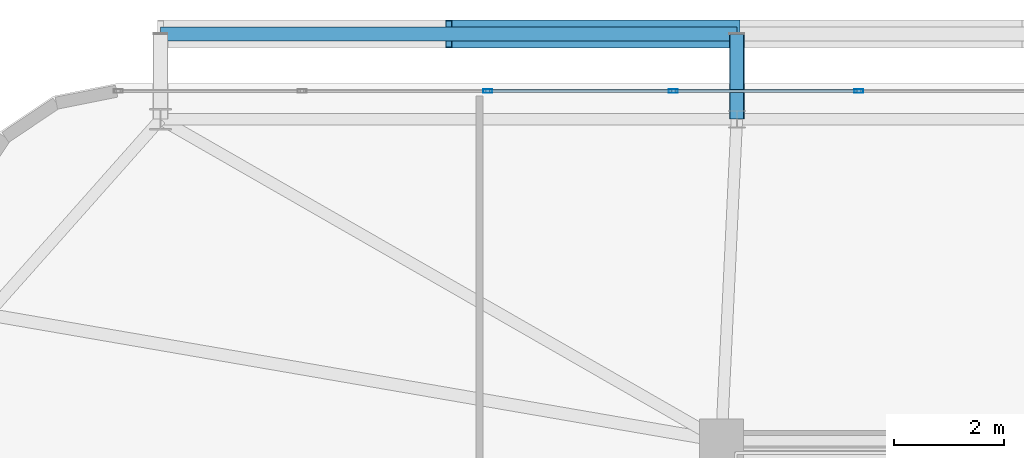
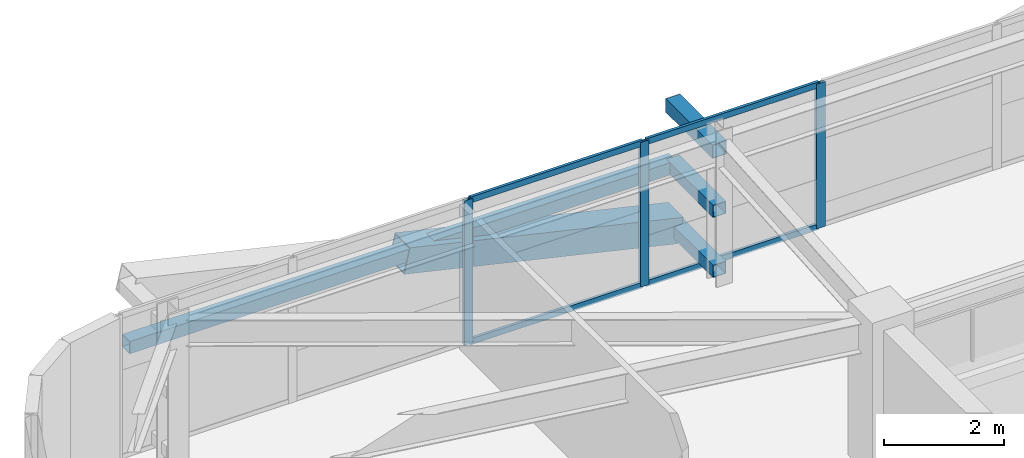
# One storey, part 35 of 58: 12 members, 1 element without a shape of its own.
"""IFC4 building model written with IfcOpenShell, lengths in metres."""

from ifc_helpers import new_model, si_unit, direction, frame, origin, origin_2d, place, context, subcontext, project, spatial, hollow_rectangle, extrude, source, transform, mapped, material, layer, layer_set, material_profile, profile_set, type_object, element, aggregate, save


model = new_model("IFC4")

# Units and contexts
model_context = context("Model", 3, precision=1e-05, world=origin(), true_north=direction((0.0, 1.0)))
body_context = subcontext(model_context, "Body", "Model", "MODEL_VIEW")
ifc_project = project(units=[si_unit("LENGTHUNIT", "METRE"), si_unit("AREAUNIT", "SQUARE_METRE"), si_unit("VOLUMEUNIT", "CUBIC_METRE"), si_unit("PLANEANGLEUNIT", "RADIAN"), si_unit("MASSUNIT", "GRAM", prefix="KILO")], contexts=[model_context])

# Site, building, storey
site_placement = place(None, origin())
site = spatial("IfcSite", under=ifc_project, at=site_placement, CompositionType="ELEMENT")
building_placement = place(site_placement, origin())
building = spatial("IfcBuilding", under=site, at=building_placement, Name="Taldren Reach Tower", CompositionType="ELEMENT")
storey_placement = place(building_placement, frame((0.0, 0.0, 32.550048828125)))
storey = spatial("IfcBuildingStorey", under=building, at=storey_placement, Name="L09", CompositionType="ELEMENT", Elevation=32.550048828125)

# Members
ifc_material_1 = material(Name="Steel Gr 450 (C450L0)", Category="steel")
ifc_material_profile_1 = material_profile(ifc_material_1, hollow_rectangle(XDim=0.27490234375, YDim=0.27490234375, WallThickness=0.00927734375, at=origin_2d()), Name="275x275x9.3SHS")
ifc_profile_set_1 = profile_set([ifc_material_profile_1], Name="Steel Gr 450 (C450L0)")
member_type_1 = type_object("IfcMemberType", Name="MB-TIE273", PredefinedType="STRUT", material=ifc_profile_set_1)
shared_shape_1 = source(origin(), body_context, "Body", "SweptSolid", [
    extrude(hollow_rectangle(XDim=0.27490234375, YDim=0.27490234375, WallThickness=0.00927734375, at=origin_2d()), origin(), (0.0, 0.0, 1.0), 1.5498046875),
])
member_1_placement = place(storey_placement, frame((19.280029296875, 37.85009765625, 2.64990234375), z_axis=(0.0, 1.0, 0.0), x_axis=(-1.0, 0.0, 0.0)))
element("IfcMember", 1, at=member_1_placement, inside=storey, type_object=member_type_1, Name="Exoskeleton diaphragm tie strut B1-N2 L09", PredefinedType="STRUT", context=body_context, shape_type="MappedRepresentation", body=[
    mapped(shared_shape_1, transform((0.0, 0.0, 0.0), scale=1.0)),
])
ifc_material_profile_2 = material_profile(ifc_material_1, hollow_rectangle(XDim=0.510009765625, YDim=0.510009765625, WallThickness=0.02001953125, at=origin_2d()), Name="510x510x20.0SHS")
ifc_profile_set_2 = profile_set([ifc_material_profile_2], Name="Steel Gr 450 (C450L0)")
member_type_2 = type_object("IfcMemberType", Name="MB-EXO508", PredefinedType="BRACE", material=ifc_profile_set_2)
shared_shape_2 = source(origin(), body_context, "Body", "SweptSolid", [
    extrude(hollow_rectangle(XDim=0.510009765625, YDim=0.510009765625, WallThickness=0.02001953125, at=origin_2d()), origin(), (0.0, 0.0, 1.0), 5.37890625),
])
member_2_placement = place(storey_placement, frame((19.280029296875, 39.39990234375, 0.219970703125), z_axis=(-0.97415197996, 0.0, 0.225893603143), x_axis=(0.0, -1.0, 0.0)))
element("IfcMember", 2, at=member_2_placement, inside=storey, type_object=member_type_2, Name="Exoskeleton Diagrid Brace B1-N1 L09", PredefinedType="BRACE", context=body_context, shape_type="MappedRepresentation", body=[
    mapped(shared_shape_2, transform((0.0, 0.0, 0.0), scale=1.0)),
])
ifc_material_2 = material(Name="Steel Gr 350 (C350L0)", Category="steel")
ifc_material_profile_3 = material_profile(ifc_material_2, hollow_rectangle(XDim=0.25, YDim=0.25, WallThickness=0.010009765625, at=origin_2d()), Name="250x250x10.0SHS")
ifc_profile_set_3 = profile_set([ifc_material_profile_3], Name="Steel Gr 350 (C350L0)")
member_type_3 = type_object("IfcMemberType", Name="MB-POST250", PredefinedType="POST", material=ifc_profile_set_3)
shared_shape_3 = source(origin(), body_context, "Body", "SweptSolid", [
    extrude(hollow_rectangle(XDim=0.25, YDim=0.25, WallThickness=0.010009765625, at=origin_2d()), origin(), (0.0, 0.0, 1.0), 10.47998046875),
])
member_3_placement = place(storey_placement, frame((8.800048828125, 39.39990234375, 1.43505859375), z_axis=(1.0, 0.0, 0.0), x_axis=(0.0, 1.0, 0.0)))
element("IfcMember", 3, at=member_3_placement, inside=storey, type_object=member_type_3, Name="Exoskeleton mid-height ring chord B1-N1 L09", PredefinedType="POST", context=body_context, shape_type="MappedRepresentation", body=[
    mapped(shared_shape_3, transform((0.0, 0.0, 0.0), scale=1.0)),
])
shared_shape_4 = source(origin(), body_context, "Body", "SweptSolid", [
    extrude(hollow_rectangle(XDim=0.25, YDim=0.25, WallThickness=0.010009765625, at=origin_2d()), origin(), (0.0, 0.0, 1.0), 1.5498046875),
])
for number, where, z_axis, x_axis, name in (
    (4, (19.280029296875, 37.85009765625, 0.219970703125), (0.0, 1.0, 0.0), (-1.0, 0.0, 0.0), "Exoskeleton base diaphragm tie strut B1-N2 L09"),
    (5, (19.280029296875, 37.85009765625, 1.43505859375), (0.0, 1.0, 0.0), (-1.0, 0.0, 0.0), "Exoskeleton mid-tier diaphragm tie B1-N2 L09"),
):
    element("IfcMember", number, at=place(storey_placement, frame(where, z_axis=z_axis, x_axis=x_axis)), inside=storey, type_object=member_type_3, Name=name, PredefinedType="POST", context=body_context, shape_type="MappedRepresentation", body=[
        mapped(shared_shape_4, transform((0.0, 0.0, 0.0), scale=1.0)),
    ])

# Curtain wall, members
ifc_material_3 = material(Name="Aluminium and Low-E Glass Unitised System", Category="aluminium")
ifc_layer = layer(ifc_material_3, 0.159912109375)
ifc_layer_set = layer_set([ifc_layer], Name="Aluminium and Low-E Glass Unitised System")
curtain_wall_type = type_object("IfcCurtainWallType", Name="CW-SYS-2", PredefinedType="NOTDEFINED", material=ifc_layer_set)
curtain_wall_placement = place(storey_placement, origin())
curtain_wall = element("IfcCurtainWall", 6, at=curtain_wall_placement, inside=storey, type_object=curtain_wall_type, Name="Unitised curtain wall CW-L09-N", PredefinedType="NOTDEFINED")
ifc_material_4 = material(Name="Anodised Aluminium 6063-T6", Category="aluminium")
ifc_material_profile_4 = material_profile(ifc_material_4, hollow_rectangle(XDim=0.06494140625, YDim=0.1650390625, WallThickness=0.00390625, at=origin_2d()), Name="ALU-165x65x4RHS")
ifc_profile_set_4 = profile_set([ifc_material_profile_4], Name="Anodised Aluminium 6063-T6")
member_type_4 = type_object("IfcMemberType", Name="CW-MUL-165", PredefinedType="MULLION", material=ifc_profile_set_4)
shared_shape_5 = source(origin(), body_context, "Body", "SweptSolid", [
    extrude(hollow_rectangle(XDim=0.06494140625, YDim=0.1650390625, WallThickness=0.00390625, at=origin_2d()), origin(), (0.0, 0.0, 1.0), 2.929931640625),
])
member_4_placement = place(storey_placement, frame((21.5, 38.360107421875, 0.0), z_axis=(0.0, 0.0, 1.0), x_axis=(0.0, -1.0, 0.0)))
member_4 = element("IfcMember", 7, at=member_4_placement, type_object=member_type_4, Name="CW-2 mullion 13", PredefinedType="MULLION", context=body_context, shape_type="MappedRepresentation", body=[
    mapped(shared_shape_5, transform((0.0, 0.0, 0.0), scale=1.0)),
])
member_5_placement = place(storey_placement, frame((18.125, 38.360107421875, 0.0), z_axis=(0.0, 0.0, 1.0), x_axis=(0.0, -1.0, 0.0)))
member_5 = element("IfcMember", 8, at=member_5_placement, type_object=member_type_4, Name="CW-2 mullion 14", PredefinedType="MULLION", context=body_context, shape_type="MappedRepresentation", body=[
    mapped(shared_shape_5, transform((0.0, 0.0, 0.0), scale=1.0)),
])
member_6_placement = place(storey_placement, frame((14.75, 38.360107421875, 0.0), z_axis=(0.0, 0.0, 1.0), x_axis=(0.0, -1.0, 0.0)))
member_6 = element("IfcMember", 9, at=member_6_placement, type_object=member_type_4, Name="CW-2 mullion 15", PredefinedType="MULLION", context=body_context, shape_type="MappedRepresentation", body=[
    mapped(shared_shape_5, transform((0.0, 0.0, 0.0), scale=1.0)),
])
ifc_material_profile_5 = material_profile(ifc_material_4, hollow_rectangle(XDim=0.054931640625, YDim=0.1201171875, WallThickness=0.0029296875, at=origin_2d()), Name="ALU-120x55x3RHS")
ifc_profile_set_5 = profile_set([ifc_material_profile_5], Name="Anodised Aluminium 6063-T6")
member_type_5 = type_object("IfcMemberType", Name="CW-TRN-135", PredefinedType="USERDEFINED", material=ifc_profile_set_5)
shared_shape_6 = source(origin(), body_context, "Body", "SweptSolid", [
    extrude(hollow_rectangle(XDim=0.054931640625, YDim=0.1201171875, WallThickness=0.0029296875, at=origin_2d()), origin(), (0.0, 0.0, 1.0), 3.31005859375),
])
member_7_placement = place(storey_placement, frame((21.467529296875, 38.360107421875, 0.02734375), z_axis=(-1.0, 0.0, 0.0), x_axis=(0.0, -1.0, 0.0)))
member_7 = element("IfcMember", 10, at=member_7_placement, type_object=member_type_5, Name="CW-2 transom 13.1", ObjectType="TRANSOM", PredefinedType="USERDEFINED", context=body_context, shape_type="MappedRepresentation", body=[
    mapped(shared_shape_6, transform((0.0, 0.0, 0.0), scale=1.0)),
])
member_8_placement = place(storey_placement, frame((21.467529296875, 38.360107421875, 2.90234375), z_axis=(-1.0, 0.0, 0.0), x_axis=(0.0, -1.0, 0.0)))
member_8 = element("IfcMember", 11, at=member_8_placement, type_object=member_type_5, Name="CW-2 transom 13.2", ObjectType="TRANSOM", PredefinedType="USERDEFINED", context=body_context, shape_type="MappedRepresentation", body=[
    mapped(shared_shape_6, transform((0.0, 0.0, 0.0), scale=1.0)),
])
member_9_placement = place(storey_placement, frame((18.092529296875, 38.360107421875, 0.02734375), z_axis=(-1.0, 0.0, 0.0), x_axis=(0.0, -1.0, 0.0)))
member_9 = element("IfcMember", 12, at=member_9_placement, type_object=member_type_5, Name="CW-2 transom 14.1", ObjectType="TRANSOM", PredefinedType="USERDEFINED", context=body_context, shape_type="MappedRepresentation", body=[
    mapped(shared_shape_6, transform((0.0, 0.0, 0.0), scale=1.0)),
])
member_10_placement = place(storey_placement, frame((18.092529296875, 38.360107421875, 2.90234375), z_axis=(-1.0, 0.0, 0.0), x_axis=(0.0, -1.0, 0.0)))
member_10 = element("IfcMember", 13, at=member_10_placement, type_object=member_type_5, Name="CW-2 transom 14.2", ObjectType="TRANSOM", PredefinedType="USERDEFINED", context=body_context, shape_type="MappedRepresentation", body=[
    mapped(shared_shape_6, transform((0.0, 0.0, 0.0), scale=1.0)),
])
aggregate(curtain_wall, [member_4, member_5, member_6, member_7, member_8, member_9, member_10])

save(model, "model.ifc")
